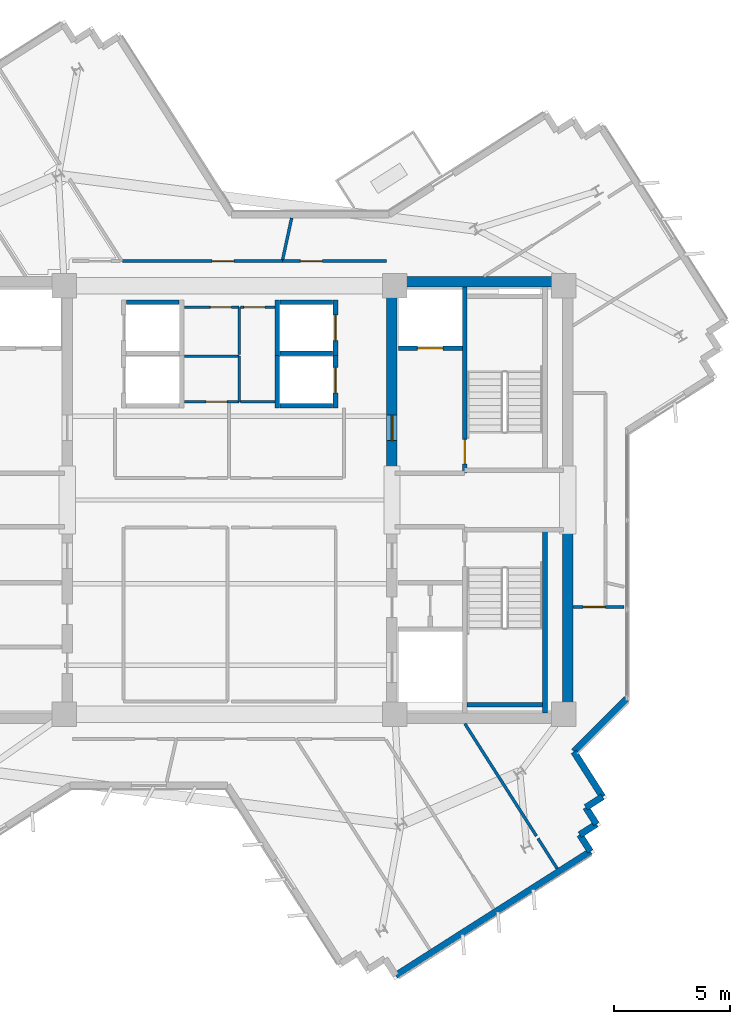
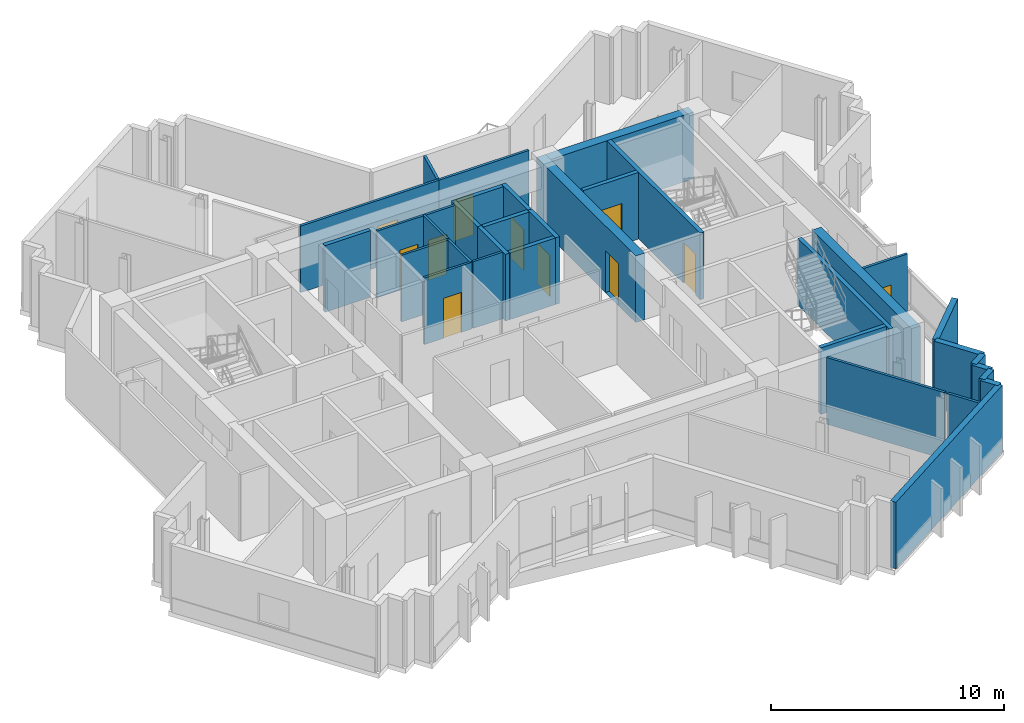
# One storey, part 7 of 12: 35 walls, 11 doors, 11 openings.
"""IFC4 building model written with IfcOpenShell, lengths in metres."""

from ifc_helpers import new_model, si_unit, direction, frame, frame_2d, origin, place, context, subcontext, project, spatial, rectangle, extrude, source, transform, mapped, material, layer, layer_set, type_object, element, fill, save


model = new_model("IFC4")

# Units and contexts
model_context = context("Model", 3, precision=1e-05, world=origin(), true_north=direction((0.0, 1.0)))
body_context = subcontext(model_context, "Body", "Model", "MODEL_VIEW")
ifc_project = project(units=[si_unit("LENGTHUNIT", "METRE"), si_unit("AREAUNIT", "SQUARE_METRE"), si_unit("VOLUMEUNIT", "CUBIC_METRE"), si_unit("PLANEANGLEUNIT", "RADIAN"), si_unit("MASSUNIT", "GRAM", prefix="KILO")], contexts=[model_context])

# Site, building, storey
site_placement = place(None, origin())
site = spatial("IfcSite", under=ifc_project, at=site_placement, CompositionType="ELEMENT")
building_placement = place(site_placement, origin())
building = spatial("IfcBuilding", under=site, at=building_placement, Name="Zahravan Cultural Tower", CompositionType="ELEMENT")
storey_placement = place(building_placement, frame((0.0, 0.0, 269.10009765625)))
storey = spatial("IfcBuildingStorey", under=building, at=storey_placement, Name="L64", CompositionType="ELEMENT", Elevation=269.10009765625)

# Wall, opening, door
ifc_material_1 = material(Name="Concrete C50/60", Category="concrete")
ifc_layer_1 = layer(ifc_material_1, 0.449951171875)
ifc_layer_set_1 = layer_set([ifc_layer_1], Name="Concrete C50/60")
wall_type_1 = type_object("IfcWallType", Name="CW-SHEAR-450-C50", PredefinedType="SHEAR", material=ifc_layer_set_1)
wall_1_placement = place(storey_placement, frame((42.97509765625, 28.050048828125, 0.0), z_axis=(0.0, 0.0, 1.0), x_axis=(0.0, 1.0, 0.0)))
wall_1 = element("IfcWall", 1, at=wall_1_placement, inside=storey, type_object=wall_type_1, Name="L64 Core Shear Wall CW-E-WN-L64", PredefinedType="SHEAR", context=body_context, shape_type="SweptSolid", body=[
    extrude(rectangle(XDim=8.550048828125, YDim=0.449951171875, at=frame_2d((4.27490234375, 0.0))), origin(), (0.0, 0.0, 1.0), 3.5),
])
opening_1_placement = place(wall_1_placement, frame((1.5, 0.0, 0.0)))
opening_1 = element("IfcOpeningElement", 2, at=opening_1_placement, cuts=wall_1, Name="Opening D-L64-07", PredefinedType="OPENING", context=body_context, shape_type="SweptSolid", body=[
    extrude(rectangle(XDim=1.10009765625, YDim=2.199951171875, at=frame_2d((0.550048828125, 1.10009765625))), frame((0.0, 0.23486328125, 0.0), z_axis=(0.0, -1.0, 0.0), x_axis=(1.0, 0.0, 0.0)), (0.0, 0.0, 1.0), 0.469970703125),
])
ifc_material_2 = material(Name="Steel ASTM A572 Grade 50", Category="steel")
door_type_1 = type_object("IfcDoorType", Name="DR-LOBBY-1100", OperationType="NOTDEFINED", PredefinedType="DOOR", material=ifc_material_2)
shared_shape_1 = source(origin(), body_context, "Body", "SweptSolid", [
    extrude(rectangle(XDim=1.10009765625, YDim=2.199951171875, at=frame_2d((0.550048828125, 1.10009765625))), frame((0.0, 0.02490234375, 0.0), z_axis=(0.0, -1.0, 0.0), x_axis=(1.0, 0.0, 0.0)), (0.0, 0.0, 1.0), 0.050048828125),
])
door_1_placement = place(opening_1_placement, origin())
door_1 = element("IfcDoor", 3, at=door_1_placement, inside=storey, type_object=door_type_1, Name="L64 Door D-L64-07", OperationType="SINGLE_SWING_LEFT", OverallHeight=2.199951171875, OverallWidth=1.10009765625, PredefinedType="DOOR", context=body_context, shape_type="MappedRepresentation", body=[
    mapped(shared_shape_1, transform((0.0, 0.0, 0.0), x_axis=(1.0, 0.0, 0.0), y_axis=(0.0, 1.0, 0.0), z_axis=(0.0, 0.0, 1.0), scale=1.0)),
])
fill(opening_1, door_1)

ifc_material_3 = material(Name="Gypsum plasterboard partition")
ifc_layer_2 = layer(ifc_material_3, 0.125)
ifc_layer_set_2 = layer_set([ifc_layer_2], Name="Gypsum plasterboard partition")
wall_type_2 = type_object("IfcWallType", Name="W-PART-125", PredefinedType="PARTITIONING", material=ifc_layer_set_2)
wall_2_placement = place(storey_placement, frame((50.7548828125, 22.400146484375, 0.0), z_axis=(0.0, 0.0, 1.0), x_axis=(0.999998787702, 0.001557110781, 0.0)))
wall_2 = element("IfcWall", 4, at=wall_2_placement, inside=storey, type_object=wall_type_2, Name="L64 Interior Wall 066", PredefinedType="PARTITIONING", context=body_context, shape_type="SweptSolid", body=[
    extrude(rectangle(XDim=2.195068359375, YDim=0.125, at=frame_2d((1.09765625, 0.0))), origin(), (0.0, 0.0, 1.0), 3.5),
])
opening_2_placement = place(wall_2_placement, frame((0.435791015625, 0.0, 0.0)))
opening_2 = element("IfcOpeningElement", 5, at=opening_2_placement, cuts=wall_2, Name="Opening D-L64-29", PredefinedType="OPENING", context=body_context, shape_type="SweptSolid", body=[
    extrude(rectangle(XDim=0.949951171875, YDim=2.14990234375, at=frame_2d((0.47509765625, 1.074951171875))), frame((0.0, 0.072509765625, 0.0), z_axis=(0.0, -1.0, 0.0), x_axis=(1.0, 0.0, 0.0)), (0.0, 0.0, 1.0), 0.14501953125),
])
ifc_material_4 = material(Name="Anodised bronze-aluminium mullion", Category="aluminium")
door_type_2 = type_object("IfcDoorType", Name="DR-ROOM-950", OperationType="NOTDEFINED", PredefinedType="DOOR", material=ifc_material_4)
shared_shape_2 = source(origin(), body_context, "Body", "SweptSolid", [
    extrude(rectangle(XDim=0.949951171875, YDim=2.14990234375, at=frame_2d((0.47509765625, 1.074951171875))), frame((0.0, 0.02490234375, 0.0), z_axis=(0.0, -1.0, 0.0), x_axis=(1.0, 0.0, 0.0)), (0.0, 0.0, 1.0), 0.050048828125),
])
door_2_placement = place(opening_2_placement, origin())
door_2 = element("IfcDoor", 6, at=door_2_placement, inside=storey, type_object=door_type_2, Name="L64 Door D-L64-29", OperationType="SINGLE_SWING_LEFT", OverallHeight=2.14990234375, OverallWidth=0.949951171875, PredefinedType="DOOR", context=body_context, shape_type="MappedRepresentation", body=[
    mapped(shared_shape_2, transform((0.0, 0.0, 0.0), x_axis=(1.0, 0.0, 0.0), y_axis=(0.0, 1.0, 0.0), z_axis=(0.0, 0.0, 1.0), scale=1.0)),
])
fill(opening_2, door_2)

wall_3_placement = place(storey_placement, frame((42.742431640625, 37.259765625, 0.0), z_axis=(0.0, 0.0, 1.0), x_axis=(-0.999999998515, 5.4504824e-05, 0.0)))
wall_3 = element("IfcWall", 7, at=wall_3_placement, inside=storey, type_object=wall_type_2, Name="L64 Interior Wall 092", PredefinedType="PARTITIONING", context=body_context, shape_type="SweptSolid", body=[
    extrude(rectangle(XDim=4.479248046875, YDim=0.125, at=frame_2d((2.23974609375, 0.0))), origin(), (0.0, 0.0, 1.0), 3.5),
])
opening_3_placement = place(wall_3_placement, frame((2.752685546875, 0.0, 0.0)))
opening_3 = element("IfcOpeningElement", 8, at=opening_3_placement, cuts=wall_3, Name="Opening D-L64-21", PredefinedType="OPENING", context=body_context, shape_type="SweptSolid", body=[
    extrude(rectangle(XDim=0.949951171875, YDim=2.14990234375, at=frame_2d((0.47509765625, 1.074951171875))), frame((0.0, 0.072509765625, 0.0), z_axis=(0.0, -1.0, 0.0), x_axis=(1.0, 0.0, 0.0)), (0.0, 0.0, 1.0), 0.14501953125),
])
door_3_placement = place(opening_3_placement, origin())
door_3 = element("IfcDoor", 9, at=door_3_placement, inside=storey, type_object=door_type_2, Name="L64 Door D-L64-21", OperationType="SINGLE_SWING_LEFT", OverallHeight=2.14990234375, OverallWidth=0.949951171875, PredefinedType="DOOR", context=body_context, shape_type="MappedRepresentation", body=[
    mapped(shared_shape_2, transform((0.0, 0.0, 0.0), x_axis=(1.0, 0.0, 0.0), y_axis=(0.0, 1.0, 0.0), z_axis=(0.0, 0.0, 1.0), scale=1.0)),
])
fill(opening_3, door_3)

wall_4_placement = place(storey_placement, frame((38.26318359375, 37.260009765625, 0.0), z_axis=(0.0, 0.0, 1.0), x_axis=(-1.0, 0.0, 0.0)))
wall_4 = element("IfcWall", 10, at=wall_4_placement, inside=storey, type_object=wall_type_2, Name="L64 Interior Wall 095", PredefinedType="PARTITIONING", context=body_context, shape_type="SweptSolid", body=[
    extrude(rectangle(XDim=6.866943359375, YDim=0.125, at=frame_2d((3.43359375, 0.0))), origin(), (0.0, 0.0, 1.0), 3.5),
])
opening_4_placement = place(wall_4_placement, frame((2.071044921875, 0.0, 0.0)))
opening_4 = element("IfcOpeningElement", 11, at=opening_4_placement, cuts=wall_4, Name="Opening D-L64-22", PredefinedType="OPENING", context=body_context, shape_type="SweptSolid", body=[
    extrude(rectangle(XDim=0.949951171875, YDim=2.14990234375, at=frame_2d((0.47509765625, 1.074951171875))), frame((0.0, 0.072509765625, 0.0), z_axis=(0.0, -1.0, 0.0), x_axis=(1.0, 0.0, 0.0)), (0.0, 0.0, 1.0), 0.14501953125),
])
door_4_placement = place(opening_4_placement, origin())
door_4 = element("IfcDoor", 12, at=door_4_placement, inside=storey, type_object=door_type_2, Name="L64 Door D-L64-22", OperationType="SINGLE_SWING_RIGHT", OverallHeight=2.14990234375, OverallWidth=0.949951171875, PredefinedType="DOOR", context=body_context, shape_type="MappedRepresentation", body=[
    mapped(shared_shape_2, transform((0.0, 0.0, 0.0), x_axis=(1.0, 0.0, 0.0), y_axis=(0.0, 1.0, 0.0), z_axis=(0.0, 0.0, 1.0), scale=1.0)),
])
fill(opening_4, door_4)

ifc_material_5 = material(Name="Concrete C45/55", Category="concrete")
ifc_layer_3 = layer(ifc_material_5, 0.199951171875)
ifc_layer_set_3 = layer_set([ifc_layer_3], Name="Concrete C45/55")
wall_type_3 = type_object("IfcWallType", Name="W-SHAFT-200", PredefinedType="SOLIDWALL", material=ifc_layer_set_3)
wall_5_placement = place(storey_placement, frame((46.10009765625, 28.14990234375, 0.0), z_axis=(0.0, 0.0, 1.0), x_axis=(0.0, 1.0, 0.0)))
wall_5 = element("IfcWall", 13, at=wall_5_placement, inside=storey, type_object=wall_type_3, Name="L64 Interior Wall 008", PredefinedType="SOLIDWALL", context=body_context, shape_type="SweptSolid", body=[
    extrude(rectangle(XDim=8.0, YDim=0.199951171875, at=frame_2d((4.0, 0.0))), origin(), (0.0, 0.0, 1.0), 3.5),
])
opening_5_placement = place(wall_5_placement, frame((0.39990234375, 0.0, 0.0)))
opening_5 = element("IfcOpeningElement", 14, at=opening_5_placement, cuts=wall_5, Name="Opening D-L64-02", PredefinedType="OPENING", context=body_context, shape_type="SweptSolid", body=[
    extrude(rectangle(XDim=1.050048828125, YDim=2.14990234375, at=frame_2d((0.52490234375, 1.074951171875))), frame((0.0, 0.10986328125, 0.0), z_axis=(0.0, -1.0, 0.0), x_axis=(1.0, 0.0, 0.0)), (0.0, 0.0, 1.0), 0.219970703125),
])
door_type_3 = type_object("IfcDoorType", Name="DR-STAIR-1050", OperationType="NOTDEFINED", PredefinedType="DOOR", material=ifc_material_2)
shared_shape_3 = source(origin(), body_context, "Body", "SweptSolid", [
    extrude(rectangle(XDim=1.050048828125, YDim=2.14990234375, at=frame_2d((0.52490234375, 1.074951171875))), frame((0.0, 0.02490234375, 0.0), z_axis=(0.0, -1.0, 0.0), x_axis=(1.0, 0.0, 0.0)), (0.0, 0.0, 1.0), 0.050048828125),
])
door_5_placement = place(opening_5_placement, origin())
door_5 = element("IfcDoor", 15, at=door_5_placement, inside=storey, type_object=door_type_3, Name="L64 Door D-L64-02", OperationType="SINGLE_SWING_RIGHT", OverallHeight=2.14990234375, OverallWidth=1.050048828125, PredefinedType="DOOR", context=body_context, shape_type="MappedRepresentation", body=[
    mapped(shared_shape_3, transform((0.0, 0.0, 0.0), x_axis=(1.0, 0.0, 0.0), y_axis=(0.0, 1.0, 0.0), z_axis=(0.0, 0.0, 1.0), scale=1.0)),
])
fill(opening_5, door_5)

wall_6_placement = place(storey_placement, frame((43.25, 33.52001953125, 0.0), z_axis=(0.0, 0.0, 1.0), x_axis=(1.0, 0.0, 0.0)))
wall_6 = element("IfcWall", 16, at=wall_6_placement, inside=storey, type_object=wall_type_3, Name="L64 Interior Wall 023", PredefinedType="SOLIDWALL", context=body_context, shape_type="SweptSolid", body=[
    extrude(rectangle(XDim=2.75, YDim=0.199951171875, at=frame_2d((1.375, 0.0))), origin(), (0.0, 0.0, 1.0), 3.5),
])
opening_6_placement = place(wall_6_placement, frame((0.820068359375, 0.0, 0.0)))
opening_6 = element("IfcOpeningElement", 17, at=opening_6_placement, cuts=wall_6, Name="Opening LD-L64-02", PredefinedType="OPENING", context=body_context, shape_type="SweptSolid", body=[
    extrude(rectangle(XDim=1.10009765625, YDim=2.14990234375, at=frame_2d((0.550048828125, 1.074951171875))), frame((0.0, 0.10986328125, 0.0), z_axis=(0.0, -1.0, 0.0), x_axis=(1.0, 0.0, 0.0)), (0.0, 0.0, 1.0), 0.219970703125),
])
door_type_4 = type_object("IfcDoorType", Name="DR-LIFT-1100", OperationType="DOUBLE_DOOR_SLIDING", PredefinedType="DOOR", material=ifc_material_2)
shared_shape_4 = source(origin(), body_context, "Body", "SweptSolid", [
    extrude(rectangle(XDim=1.10009765625, YDim=2.14990234375, at=frame_2d((0.550048828125, 1.074951171875))), frame((0.0, 0.02490234375, 0.0), z_axis=(0.0, -1.0, 0.0), x_axis=(1.0, 0.0, 0.0)), (0.0, 0.0, 1.0), 0.050048828125),
])
door_6_placement = place(opening_6_placement, origin())
door_6 = element("IfcDoor", 18, at=door_6_placement, inside=storey, type_object=door_type_4, Name="L64 Door LD-L64-02", OperationType="DOUBLE_DOOR_SLIDING", OverallHeight=2.14990234375, OverallWidth=1.10009765625, PredefinedType="DOOR", context=body_context, shape_type="MappedRepresentation", body=[
    mapped(shared_shape_4, transform((0.0, 0.0, 0.0), x_axis=(1.0, 0.0, 0.0), y_axis=(0.0, 1.0, 0.0), z_axis=(0.0, 0.0, 1.0), scale=1.0)),
])
fill(opening_6, door_6)

wall_7_placement = place(storey_placement, frame((40.550048828125, 33.199951171875, 0.0), z_axis=(0.0, 0.0, 1.0), x_axis=(0.0, 1.0, 0.0)))
wall_7 = element("IfcWall", 19, at=wall_7_placement, inside=storey, type_object=wall_type_3, Name="L64 Interior Wall 037", PredefinedType="SOLIDWALL", context=body_context, shape_type="SweptSolid", body=[
    extrude(rectangle(XDim=2.400146484375, YDim=0.199951171875, at=frame_2d((1.2001953125, 0.0))), origin(), (0.0, 0.0, 1.0), 3.5),
])
opening_7_placement = place(wall_7_placement, frame((0.64990234375, 0.0, 0.0)))
opening_7 = element("IfcOpeningElement", 20, at=opening_7_placement, cuts=wall_7, Name="Opening LD-L64-06", PredefinedType="OPENING", context=body_context, shape_type="SweptSolid", body=[
    extrude(rectangle(XDim=1.10009765625, YDim=2.14990234375, at=frame_2d((0.550048828125, 1.074951171875))), frame((0.0, 0.10986328125, 0.0), z_axis=(0.0, -1.0, 0.0), x_axis=(1.0, 0.0, 0.0)), (0.0, 0.0, 1.0), 0.219970703125),
])
door_7_placement = place(opening_7_placement, origin())
door_7 = element("IfcDoor", 21, at=door_7_placement, inside=storey, type_object=door_type_4, Name="L64 Door LD-L64-06", OperationType="DOUBLE_DOOR_SLIDING", OverallHeight=2.14990234375, OverallWidth=1.10009765625, PredefinedType="DOOR", context=body_context, shape_type="MappedRepresentation", body=[
    mapped(shared_shape_4, transform((0.0, 0.0, 0.0), x_axis=(1.0, 0.0, 0.0), y_axis=(0.0, 1.0, 0.0), z_axis=(0.0, 0.0, 1.0), scale=1.0)),
])
fill(opening_7, door_7)

wall_8_placement = place(storey_placement, frame((40.550048828125, 30.949951171875, 0.0), z_axis=(0.0, 0.0, 1.0), x_axis=(0.0, 1.0, 0.0)))
wall_8 = element("IfcWall", 22, at=wall_8_placement, inside=storey, type_object=wall_type_3, Name="L64 Interior Wall 041", PredefinedType="SOLIDWALL", context=body_context, shape_type="SweptSolid", body=[
    extrude(rectangle(XDim=2.400146484375, YDim=0.199951171875, at=frame_2d((1.2001953125, 0.0))), origin(), (0.0, 0.0, 1.0), 3.5),
])
opening_8_placement = place(wall_8_placement, frame((0.64990234375, 0.0, 0.0)))
opening_8 = element("IfcOpeningElement", 23, at=opening_8_placement, cuts=wall_8, Name="Opening LD-L64-07", PredefinedType="OPENING", context=body_context, shape_type="SweptSolid", body=[
    extrude(rectangle(XDim=1.10009765625, YDim=2.14990234375, at=frame_2d((0.550048828125, 1.074951171875))), frame((0.0, 0.10986328125, 0.0), z_axis=(0.0, -1.0, 0.0), x_axis=(1.0, 0.0, 0.0)), (0.0, 0.0, 1.0), 0.219970703125),
])
door_8_placement = place(opening_8_placement, origin())
door_8 = element("IfcDoor", 24, at=door_8_placement, inside=storey, type_object=door_type_4, Name="L64 Door LD-L64-07", OperationType="DOUBLE_DOOR_SLIDING", OverallHeight=2.14990234375, OverallWidth=1.10009765625, PredefinedType="DOOR", context=body_context, shape_type="MappedRepresentation", body=[
    mapped(shared_shape_4, transform((0.0, 0.0, 0.0), x_axis=(1.0, 0.0, 0.0), y_axis=(0.0, 1.0, 0.0), z_axis=(0.0, 0.0, 1.0), scale=1.0)),
])
fill(opening_8, door_8)

ifc_layer_4 = layer(ifc_material_3, 0.114990234375)
ifc_layer_set_4 = layer_set([ifc_layer_4], Name="Gypsum plasterboard partition")
wall_type_4 = type_object("IfcWallType", Name="W-WC-115", PredefinedType="PARTITIONING", material=ifc_layer_set_4)
wall_9_placement = place(storey_placement, frame((36.409912109375, 31.219970703125, 0.0), z_axis=(0.0, 0.0, 1.0), x_axis=(-1.0, 0.0, 0.0)))
wall_9 = element("IfcWall", 25, at=wall_9_placement, inside=storey, type_object=wall_type_4, Name="L64 Interior Wall 043", PredefinedType="PARTITIONING", context=body_context, shape_type="SweptSolid", body=[
    extrude(rectangle(XDim=2.35498046875, YDim=0.114990234375, at=frame_2d((1.177490234375, 0.0))), origin(), (0.0, 0.0, 1.0), 3.5),
])
opening_9_placement = place(wall_9_placement, frame((0.5166015625, 0.0, 0.0)))
opening_9 = element("IfcOpeningElement", 26, at=opening_9_placement, cuts=wall_9, Name="Opening D-L64-30", PredefinedType="OPENING", context=body_context, shape_type="SweptSolid", body=[
    extrude(rectangle(XDim=0.89990234375, YDim=2.10009765625, at=frame_2d((0.449951171875, 1.050048828125))), frame((0.0, 0.0673828125, 0.0), z_axis=(0.0, -1.0, 0.0), x_axis=(1.0, 0.0, 0.0)), (0.0, 0.0, 1.0), 0.135009765625),
])
door_type_5 = type_object("IfcDoorType", Name="DR-WC-900", OperationType="NOTDEFINED", PredefinedType="DOOR", material=ifc_material_4)
shared_shape_5 = source(origin(), body_context, "Body", "SweptSolid", [
    extrude(rectangle(XDim=0.89990234375, YDim=2.10009765625, at=frame_2d((0.449951171875, 1.050048828125))), frame((0.0, 0.02490234375, 0.0), z_axis=(0.0, -1.0, 0.0), x_axis=(1.0, 0.0, 0.0)), (0.0, 0.0, 1.0), 0.050048828125),
])
door_9_placement = place(opening_9_placement, origin())
door_9 = element("IfcDoor", 27, at=door_9_placement, inside=storey, type_object=door_type_5, Name="L64 Door D-L64-30", OperationType="SINGLE_SWING_RIGHT", OverallHeight=2.10009765625, OverallWidth=0.89990234375, PredefinedType="DOOR", context=body_context, shape_type="MappedRepresentation", body=[
    mapped(shared_shape_5, transform((0.0, 0.0, 0.0), x_axis=(1.0, 0.0, 0.0), y_axis=(0.0, 1.0, 0.0), z_axis=(0.0, 0.0, 1.0), scale=1.0)),
])
fill(opening_9, door_9)

wall_10_placement = place(storey_placement, frame((34.054931640625, 35.280029296875, 0.0), z_axis=(0.0, 0.0, 1.0), x_axis=(1.0, 0.0, 0.0)))
wall_10 = element("IfcWall", 28, at=wall_10_placement, inside=storey, type_object=wall_type_4, Name="L64 Interior Wall 046", PredefinedType="PARTITIONING", context=body_context, shape_type="SweptSolid", body=[
    extrude(rectangle(XDim=2.35498046875, YDim=0.114990234375, at=frame_2d((1.177490234375, 0.0))), origin(), (0.0, 0.0, 1.0), 3.5),
])
opening_10_placement = place(wall_10_placement, frame((1.120849609375, 0.0, 0.0)))
opening_10 = element("IfcOpeningElement", 29, at=opening_10_placement, cuts=wall_10, Name="Opening D-L64-16", PredefinedType="OPENING", context=body_context, shape_type="SweptSolid", body=[
    extrude(rectangle(XDim=0.89990234375, YDim=2.10009765625, at=frame_2d((0.449951171875, 1.050048828125))), frame((0.0, 0.0673828125, 0.0), z_axis=(0.0, -1.0, 0.0), x_axis=(1.0, 0.0, 0.0)), (0.0, 0.0, 1.0), 0.135009765625),
])
door_10_placement = place(opening_10_placement, origin())
door_10 = element("IfcDoor", 30, at=door_10_placement, inside=storey, type_object=door_type_5, Name="L64 Door D-L64-16", OperationType="SINGLE_SWING_RIGHT", OverallHeight=2.10009765625, OverallWidth=0.89990234375, PredefinedType="DOOR", context=body_context, shape_type="MappedRepresentation", body=[
    mapped(shared_shape_5, transform((0.0, 0.0, 0.0), x_axis=(1.0, 0.0, 0.0), y_axis=(0.0, 1.0, 0.0), z_axis=(0.0, 0.0, 1.0), scale=1.0)),
])
fill(opening_10, door_10)

wall_11_placement = place(storey_placement, frame((36.472412109375, 35.280029296875, 0.0), z_axis=(0.0, 0.0, 1.0), x_axis=(1.0, 0.0, 0.0)))
wall_11 = element("IfcWall", 31, at=wall_11_placement, inside=storey, type_object=wall_type_4, Name="L64 Interior Wall 049", PredefinedType="PARTITIONING", context=body_context, shape_type="SweptSolid", body=[
    extrude(rectangle(XDim=1.47265625, YDim=0.114990234375, at=frame_2d((0.736328125, 0.0))), origin(), (0.0, 0.0, 1.0), 3.5),
])
opening_11_placement = place(wall_11_placement, frame((0.139892578125, 0.0, 0.0)))
opening_11 = element("IfcOpeningElement", 32, at=opening_11_placement, cuts=wall_11, Name="Opening D-L64-17", PredefinedType="OPENING", context=body_context, shape_type="SweptSolid", body=[
    extrude(rectangle(XDim=0.89990234375, YDim=2.10009765625, at=frame_2d((0.449951171875, 1.050048828125))), frame((0.0, 0.0673828125, 0.0), z_axis=(0.0, -1.0, 0.0), x_axis=(1.0, 0.0, 0.0)), (0.0, 0.0, 1.0), 0.135009765625),
])
door_11_placement = place(opening_11_placement, origin())
door_11 = element("IfcDoor", 33, at=door_11_placement, inside=storey, type_object=door_type_5, Name="L64 Door D-L64-17", OperationType="SINGLE_SWING_LEFT", OverallHeight=2.10009765625, OverallWidth=0.89990234375, PredefinedType="DOOR", context=body_context, shape_type="MappedRepresentation", body=[
    mapped(shared_shape_5, transform((0.0, 0.0, 0.0), x_axis=(1.0, 0.0, 0.0), y_axis=(0.0, 1.0, 0.0), z_axis=(0.0, 0.0, 1.0), scale=1.0)),
])
fill(opening_11, door_11)

# Walls
shared_shape_6 = source(origin(), body_context, "Body", "SweptSolid", [
    extrude(rectangle(XDim=8.550048828125, YDim=0.449951171875, at=frame_2d((4.27490234375, 0.0))), origin(), (0.0, 0.0, 1.0), 3.5),
])
wall_12_placement = place(storey_placement, frame((50.52490234375, 17.39990234375, 0.0), z_axis=(0.0, 0.0, 1.0), x_axis=(0.0, 1.0, 0.0)))
element("IfcWall", 34, at=wall_12_placement, inside=storey, type_object=wall_type_1, Name="L64 Core Shear Wall CW-E-ES-L64", PredefinedType="SHEAR", context=body_context, shape_type="MappedRepresentation", body=[
    mapped(shared_shape_6, transform((0.0, 0.0, 0.0), x_axis=(1.0, 0.0, 0.0), y_axis=(0.0, 1.0, 0.0), z_axis=(0.0, 0.0, 1.0), scale=1.0)),
])
shared_shape_7 = source(origin(), body_context, "Body", "SweptSolid", [
    extrude(rectangle(XDim=7.10009765625, YDim=0.449951171875, at=frame_2d((3.550048828125, 0.0))), origin(), (0.0, 0.0, 1.0), 3.5),
])
wall_13_placement = place(storey_placement, frame((43.199951171875, 36.375, 0.0), z_axis=(0.0, 0.0, 1.0), x_axis=(1.0, 0.0, 0.0)))
element("IfcWall", 35, at=wall_13_placement, inside=storey, type_object=wall_type_1, Name="L64 Core Shear Wall CW-E-N-L64", PredefinedType="SHEAR", context=body_context, shape_type="MappedRepresentation", body=[
    mapped(shared_shape_7, transform((0.0, 0.0, 0.0), x_axis=(1.0, 0.0, 0.0), y_axis=(0.0, 1.0, 0.0), z_axis=(0.0, 0.0, 1.0), scale=1.0)),
])
ifc_material_6 = material(Name="Precast concrete C40/50", Category="concrete")
ifc_layer_5 = layer(ifc_material_6, 0.280029296875)
ifc_layer_set_5 = layer_set([ifc_layer_5], Name="Precast concrete C40/50")
wall_type_5 = type_object("IfcWallType", Name="EW-TC-280", PredefinedType="SOLIDWALL", material=ifc_layer_set_5)
shared_shape_8 = source(origin(), body_context, "Body", "SweptSolid", [
    extrude(rectangle(XDim=0.849853515625, YDim=0.280029296875, at=frame_2d((0.4248046875, 0.0))), origin(), (0.0, 0.0, 1.0), 3.5),
])
for number, where, z_axis, x_axis, name in (
    (36, (52.01904296875, 14.25048828125, 0.0), (0.0, 0.0, 1.0), (-0.843318324659, -0.537414368337, 0.0), "L64 Exterior Masonry Frame Wall 14"),
    (37, (51.30224609375, 13.793701171875, 0.0), (0.0, 0.0, 1.0), (0.537210044462, -0.843448497615, 0.0), "L64 Exterior Masonry Frame Wall 15"),
    (38, (51.7587890625, 13.076904296875, 0.0), (0.0, 0.0, 1.0), (-0.843318324659, -0.537414368337, 0.0), "L64 Exterior Masonry Frame Wall 16"),
    (39, (51.0419921875, 12.6201171875, 0.0), (0.0, 0.0, 1.0), (0.537414368337, -0.843318324659, 0.0), "L64 Exterior Masonry Frame Wall 17"),
):
    element("IfcWall", number, at=place(storey_placement, frame(where, z_axis=z_axis, x_axis=x_axis)), inside=storey, type_object=wall_type_5, Name=name, PredefinedType="SOLIDWALL", context=body_context, shape_type="MappedRepresentation", body=[
        mapped(shared_shape_8, transform((0.0, 0.0, 0.0), x_axis=(1.0, 0.0, 0.0), y_axis=(0.0, 1.0, 0.0), z_axis=(0.0, 0.0, 1.0), scale=1.0)),
    ])
shared_shape_9 = source(origin(), body_context, "Body", "SweptSolid", [
    extrude(rectangle(XDim=9.920166015625, YDim=0.280029296875, at=frame_2d((4.9599609375, 0.0))), origin(), (0.0, 0.0, 1.0), 3.5),
])
wall_14_placement = place(storey_placement, frame((51.498779296875, 11.9033203125, 0.0), z_axis=(0.0, 0.0, 1.0), x_axis=(-0.843388777764, -0.537303796322, 0.0)))
element("IfcWall", 40, at=wall_14_placement, inside=storey, type_object=wall_type_5, Name="L64 Exterior Masonry Frame Wall 18", PredefinedType="SOLIDWALL", context=body_context, shape_type="MappedRepresentation", body=[
    mapped(shared_shape_9, transform((0.0, 0.0, 0.0), x_axis=(1.0, 0.0, 0.0), y_axis=(0.0, 1.0, 0.0), z_axis=(0.0, 0.0, 1.0), scale=1.0)),
])
shared_shape_10 = source(origin(), body_context, "Body", "SweptSolid", [
    extrude(rectangle(XDim=3.21484375, YDim=0.280029296875, at=frame_2d((1.607421875, 0.0))), origin(), (0.0, 0.0, 1.0), 3.5),
])
wall_15_placement = place(storey_placement, frame((53.06005859375, 18.4580078125, 0.0), z_axis=(0.0, 0.0, 1.0), x_axis=(-0.707106781187, -0.707106781187, 0.0)))
element("IfcWall", 41, at=wall_15_placement, inside=storey, type_object=wall_type_5, Name="L64 Exterior Masonry Frame Wall 12", PredefinedType="SOLIDWALL", context=body_context, shape_type="MappedRepresentation", body=[
    mapped(shared_shape_10, transform((0.0, 0.0, 0.0), x_axis=(1.0, 0.0, 0.0), y_axis=(0.0, 1.0, 0.0), z_axis=(0.0, 0.0, 1.0), scale=1.0)),
])
shared_shape_11 = source(origin(), body_context, "Body", "SweptSolid", [
    extrude(rectangle(XDim=2.29345703125, YDim=0.280029296875, at=frame_2d((1.146728515625, 0.0))), origin(), (0.0, 0.0, 1.0), 3.5),
])
wall_16_placement = place(storey_placement, frame((50.786865234375, 16.184814453125, 0.0), z_axis=(0.0, 0.0, 1.0), x_axis=(0.53726116654, -0.843415934713, 0.0)))
element("IfcWall", 42, at=wall_16_placement, inside=storey, type_object=wall_type_5, Name="L64 Exterior Masonry Frame Wall 13", PredefinedType="SOLIDWALL", context=body_context, shape_type="MappedRepresentation", body=[
    mapped(shared_shape_11, transform((0.0, 0.0, 0.0), x_axis=(1.0, 0.0, 0.0), y_axis=(0.0, 1.0, 0.0), z_axis=(0.0, 0.0, 1.0), scale=1.0)),
])
shared_shape_12 = source(origin(), body_context, "Body", "SweptSolid", [
    extrude(rectangle(XDim=7.869873046875, YDim=0.199951171875, at=frame_2d((3.93505859375, 0.0))), origin(), (0.0, 0.0, 1.0), 3.5),
])
wall_17_placement = place(storey_placement, frame((49.550048828125, 17.85009765625, 0.0), z_axis=(0.0, 0.0, 1.0), x_axis=(0.0, 1.0, 0.0)))
element("IfcWall", 43, at=wall_17_placement, inside=storey, type_object=wall_type_3, Name="L64 Interior Wall 003", PredefinedType="SOLIDWALL", context=body_context, shape_type="MappedRepresentation", body=[
    mapped(shared_shape_12, transform((0.0, 0.0, 0.0), x_axis=(1.0, 0.0, 0.0), y_axis=(0.0, 1.0, 0.0), z_axis=(0.0, 0.0, 1.0), scale=1.0)),
])
shared_shape_13 = source(origin(), body_context, "Body", "SweptSolid", [
    extrude(rectangle(XDim=3.25, YDim=0.199951171875, at=frame_2d((1.625, 0.0))), origin(), (0.0, 0.0, 1.0), 3.5),
])
wall_18_placement = place(storey_placement, frame((46.199951171875, 18.199951171875, 0.0), z_axis=(0.0, 0.0, 1.0), x_axis=(1.0, 0.0, 0.0)))
element("IfcWall", 44, at=wall_18_placement, inside=storey, type_object=wall_type_3, Name="L64 Interior Wall 020", PredefinedType="SOLIDWALL", context=body_context, shape_type="MappedRepresentation", body=[
    mapped(shared_shape_13, transform((0.0, 0.0, 0.0), x_axis=(1.0, 0.0, 0.0), y_axis=(0.0, 1.0, 0.0), z_axis=(0.0, 0.0, 1.0), scale=1.0)),
])
shared_shape_14 = source(origin(), body_context, "Body", "SweptSolid", [
    extrude(rectangle(XDim=2.400146484375, YDim=0.199951171875, at=frame_2d((1.2001953125, 0.0))), origin(), (0.0, 0.0, 1.0), 3.5),
])
for number, where, z_axis, x_axis, name in (
    (45, (38.050048828125, 33.199951171875, 0.0), (0.0, 0.0, 1.0), (0.0, 1.0, 0.0), "L64 Interior Wall 036"),
    (46, (38.050048828125, 30.949951171875, 0.0), (0.0, 0.0, 1.0), (0.0, 1.0, 0.0), "L64 Interior Wall 040"),
):
    element("IfcWall", number, at=place(storey_placement, frame(where, z_axis=z_axis, x_axis=x_axis)), inside=storey, type_object=wall_type_3, Name=name, PredefinedType="SOLIDWALL", context=body_context, shape_type="MappedRepresentation", body=[
        mapped(shared_shape_14, transform((0.0, 0.0, 0.0), x_axis=(1.0, 0.0, 0.0), y_axis=(0.0, 1.0, 0.0), z_axis=(0.0, 0.0, 1.0), scale=1.0)),
    ])
shared_shape_15 = source(origin(), body_context, "Body", "SweptSolid", [
    extrude(rectangle(XDim=2.260009765625, YDim=0.199951171875, at=frame_2d((1.1298828125, 0.0))), origin(), (0.0, 0.0, 1.0), 3.5),
])
for number, where, z_axis, x_axis, name in (
    (47, (31.570068359375, 35.5, 0.0), (0.0, 0.0, 1.0), (1.0, 0.0, 0.0), "L64 Interior Wall 032"),
    (48, (38.169921875, 33.300048828125, 0.0), (0.0, 0.0, 1.0), (1.0, 0.0, 0.0), "L64 Interior Wall 038"),
    (49, (38.169921875, 35.5, 0.0), (0.0, 0.0, 1.0), (1.0, 0.0, 0.0), "L64 Interior Wall 039"),
    (50, (38.169921875, 31.050048828125, 0.0), (0.0, 0.0, 1.0), (1.0, 0.0, 0.0), "L64 Interior Wall 042"),
):
    element("IfcWall", number, at=place(storey_placement, frame(where, z_axis=z_axis, x_axis=x_axis)), inside=storey, type_object=wall_type_3, Name=name, PredefinedType="SOLIDWALL", context=body_context, shape_type="MappedRepresentation", body=[
        mapped(shared_shape_15, transform((0.0, 0.0, 0.0), x_axis=(1.0, 0.0, 0.0), y_axis=(0.0, 1.0, 0.0), z_axis=(0.0, 0.0, 1.0), scale=1.0)),
    ])
shared_shape_16 = source(origin(), body_context, "Body", "SweptSolid", [
    extrude(rectangle(XDim=1.9599609375, YDim=0.114990234375, at=frame_2d((0.97998046875, 0.0))), origin(), (0.0, 0.0, 1.0), 3.5),
])
wall_19_placement = place(storey_placement, frame((36.409912109375, 33.179931640625, 0.0), z_axis=(0.0, 0.0, 1.0), x_axis=(0.0, -1.0, 0.0)))
element("IfcWall", 51, at=wall_19_placement, inside=storey, type_object=wall_type_4, Name="L64 Interior Wall 045", PredefinedType="PARTITIONING", context=body_context, shape_type="MappedRepresentation", body=[
    mapped(shared_shape_16, transform((0.0, 0.0, 0.0), x_axis=(1.0, 0.0, 0.0), y_axis=(0.0, 1.0, 0.0), z_axis=(0.0, 0.0, 1.0), scale=1.0)),
])
shared_shape_17 = source(origin(), body_context, "Body", "SweptSolid", [
    extrude(rectangle(XDim=2.0400390625, YDim=0.114990234375, at=frame_2d((1.02001953125, 0.0))), origin(), (0.0, 0.0, 1.0), 3.5),
])
wall_20_placement = place(storey_placement, frame((36.409912109375, 35.280029296875, 0.0), z_axis=(0.0, 0.0, 1.0), x_axis=(0.0, -1.0, 0.0)))
element("IfcWall", 52, at=wall_20_placement, inside=storey, type_object=wall_type_4, Name="L64 Interior Wall 047", PredefinedType="PARTITIONING", context=body_context, shape_type="MappedRepresentation", body=[
    mapped(shared_shape_17, transform((0.0, 0.0, 0.0), x_axis=(1.0, 0.0, 0.0), y_axis=(0.0, 1.0, 0.0), z_axis=(0.0, 0.0, 1.0), scale=1.0)),
])
shared_shape_18 = source(origin(), body_context, "Body", "SweptSolid", [
    extrude(rectangle(XDim=1.47265625, YDim=0.114990234375, at=frame_2d((0.736328125, 0.0))), origin(), (0.0, 0.0, 1.0), 3.5),
])
wall_21_placement = place(storey_placement, frame((37.945068359375, 31.219970703125, 0.0), z_axis=(0.0, 0.0, 1.0), x_axis=(-1.0, 0.0, 0.0)))
element("IfcWall", 53, at=wall_21_placement, inside=storey, type_object=wall_type_4, Name="L64 Interior Wall 048", PredefinedType="PARTITIONING", context=body_context, shape_type="MappedRepresentation", body=[
    mapped(shared_shape_18, transform((0.0, 0.0, 0.0), x_axis=(1.0, 0.0, 0.0), y_axis=(0.0, 1.0, 0.0), z_axis=(0.0, 0.0, 1.0), scale=1.0)),
])
shared_shape_19 = source(origin(), body_context, "Body", "SweptSolid", [
    extrude(rectangle(XDim=2.35498046875, YDim=0.114990234375, at=frame_2d((1.177490234375, 0.0))), origin(), (0.0, 0.0, 1.0), 3.5),
])
wall_22_placement = place(storey_placement, frame((34.054931640625, 33.179931640625, 0.0), z_axis=(0.0, 0.0, 1.0), x_axis=(1.0, 0.0, 0.0)))
element("IfcWall", 54, at=wall_22_placement, inside=storey, type_object=wall_type_4, Name="L64 Interior Wall 044", PredefinedType="PARTITIONING", context=body_context, shape_type="MappedRepresentation", body=[
    mapped(shared_shape_19, transform((0.0, 0.0, 0.0), x_axis=(1.0, 0.0, 0.0), y_axis=(0.0, 1.0, 0.0), z_axis=(0.0, 0.0, 1.0), scale=1.0)),
])
shared_shape_20 = source(origin(), body_context, "Body", "SweptSolid", [
    extrude(rectangle(XDim=5.726318359375, YDim=0.125, at=frame_2d((2.86328125, 0.0))), origin(), (0.0, 0.0, 1.0), 3.5),
])
wall_23_placement = place(storey_placement, frame((46.102783203125, 17.39501953125, 0.0), z_axis=(0.0, 0.0, 1.0), x_axis=(0.537333366959, -0.843369938255, 0.0)))
element("IfcWall", 55, at=wall_23_placement, inside=storey, type_object=wall_type_2, Name="L64 Interior Wall 062", PredefinedType="PARTITIONING", context=body_context, shape_type="MappedRepresentation", body=[
    mapped(shared_shape_20, transform((0.0, 0.0, 0.0), x_axis=(1.0, 0.0, 0.0), y_axis=(0.0, 1.0, 0.0), z_axis=(0.0, 0.0, 1.0), scale=1.0)),
])
shared_shape_21 = source(origin(), body_context, "Body", "SweptSolid", [
    extrude(rectangle(XDim=1.532958984375, YDim=0.125, at=frame_2d((0.7666015625, 0.0))), origin(), (0.0, 0.0, 1.0), 3.5),
])
wall_24_placement = place(storey_placement, frame((49.247802734375, 12.458740234375, 0.0), z_axis=(0.0, 0.0, 1.0), x_axis=(0.537194917031, -0.843458132403, 0.0)))
element("IfcWall", 56, at=wall_24_placement, inside=storey, type_object=wall_type_2, Name="L64 Interior Wall 063", PredefinedType="PARTITIONING", context=body_context, shape_type="MappedRepresentation", body=[
    mapped(shared_shape_21, transform((0.0, 0.0, 0.0), x_axis=(1.0, 0.0, 0.0), y_axis=(0.0, 1.0, 0.0), z_axis=(0.0, 0.0, 1.0), scale=1.0)),
])
shared_shape_22 = source(origin(), body_context, "Body", "SweptSolid", [
    extrude(rectangle(XDim=1.8291015625, YDim=0.125, at=frame_2d((0.91455078125, 0.0))), origin(), (0.0, 0.0, 1.0), 3.5),
])
wall_25_placement = place(storey_placement, frame((38.27783203125, 37.327392578125, 0.0), z_axis=(0.0, 0.0, 1.0), x_axis=(0.21182559105, 0.977307484355, 0.0)))
element("IfcWall", 57, at=wall_25_placement, inside=storey, type_object=wall_type_2, Name="L64 Interior Wall 093", PredefinedType="PARTITIONING", context=body_context, shape_type="MappedRepresentation", body=[
    mapped(shared_shape_22, transform((0.0, 0.0, 0.0), x_axis=(1.0, 0.0, 0.0), y_axis=(0.0, 1.0, 0.0), z_axis=(0.0, 0.0, 1.0), scale=1.0)),
])

save(model, "model.ifc")
